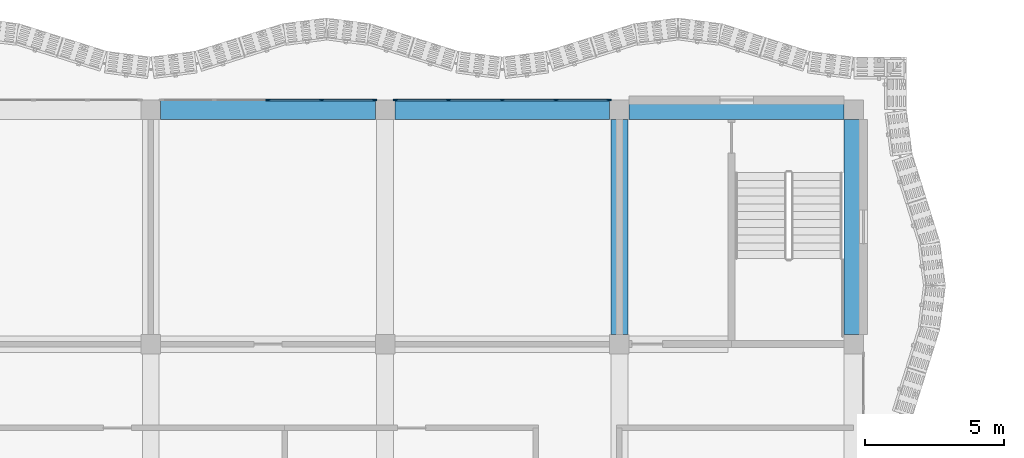
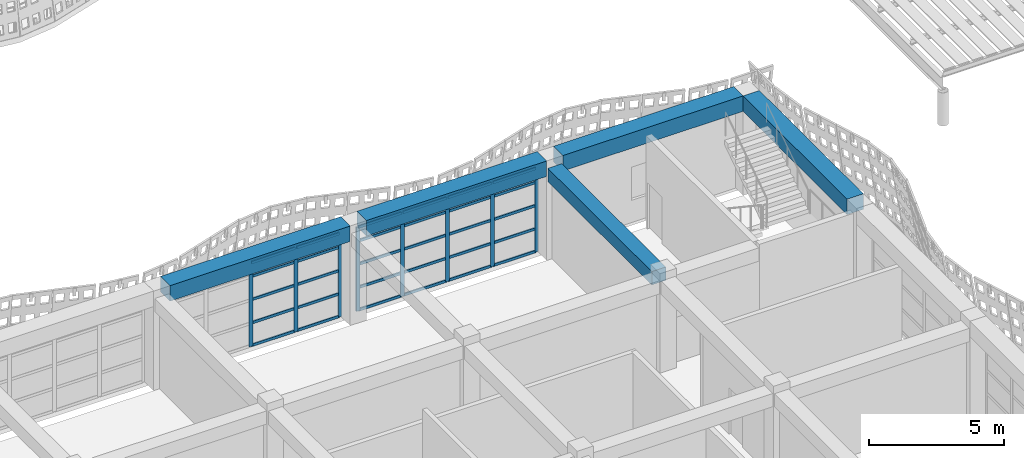
# One storey, part 24 of 162: 38 members, 5 beams, 2 elements without a shape of their own.
"""IFC4 building model written with IfcOpenShell, lengths in metres."""

from ifc_helpers import new_model, si_unit, direction, frame, origin, origin_2d, place, context, subcontext, project, spatial, rectangle, extrude, material, material_profile, profile_set, type_object, element, aggregate, save


model = new_model("IFC4")

# Units and contexts
model_context = context("Model", 3, precision=1e-05, world=origin(), true_north=direction((0.0, 1.0)))
body_context = subcontext(model_context, "Body", "Model", "MODEL_VIEW")
ifc_project = project(units=[si_unit("LENGTHUNIT", "METRE"), si_unit("AREAUNIT", "SQUARE_METRE"), si_unit("VOLUMEUNIT", "CUBIC_METRE"), si_unit("PLANEANGLEUNIT", "RADIAN"), si_unit("MASSUNIT", "GRAM", prefix="KILO")], contexts=[model_context])

# Site, building, storey
site_placement = place(None, origin())
site = spatial("IfcSite", under=ifc_project, at=site_placement, CompositionType="ELEMENT")
building_placement = place(site_placement, origin())
building = spatial("IfcBuilding", under=site, at=building_placement, Name="Rain Tree Exposition and Congress Centre", CompositionType="ELEMENT")
storey_placement = place(building_placement, frame((0.0, 0.0, 6.0)))
storey = spatial("IfcBuildingStorey", under=building, at=storey_placement, Name="L01", CompositionType="ELEMENT", Elevation=6.0)

# Beams
ifc_material_1 = material(Name="Precast concrete C50/60", Category="concrete")
ifc_material_profile_1 = material_profile(ifc_material_1, rectangle(XDim=0.60009765625, YDim=0.60009765625, at=origin_2d()), Name="RC 600x600")
ifc_profile_set_1 = profile_set([ifc_material_profile_1], Name="Precast concrete C50/60")
beam_type_1 = type_object("IfcBeamType", Name="Precast beam 600x600", PredefinedType="BEAM", material=ifc_profile_set_1)
beam_placement = place(storey_placement, frame((42.0, 42.35009765625, 3.85009765625), z_axis=(0.0, 1.0, 0.0), x_axis=(-1.0, 0.0, 0.0)))
element("IfcBeam", 1, at=beam_placement, inside=storey, type_object=beam_type_1, Name="wing/beam/L01/L02/060", PredefinedType="BEAM", context=body_context, shape_type="SweptSolid", body=[
    extrude(rectangle(XDim=0.60009765625, YDim=0.60009765625, at=origin_2d()), origin(), (0.0, 0.0, 1.0), 7.699951171875),
])
ifc_material_2 = material(Name="Precast concrete C50/60", Category="concrete")
ifc_material_profile_2 = material_profile(ifc_material_2, rectangle(XDim=0.699951171875, YDim=0.699951171875, at=origin_2d()), Name="RC 700x700")
ifc_profile_set_2 = profile_set([ifc_material_profile_2], Name="Precast concrete C50/60")
beam_type_2 = type_object("IfcBeamType", Name="Precast spandrel beam 700x700", PredefinedType="SPANDREL", material=ifc_profile_set_2)
for number, where, z_axis, x_axis, name in (
    (2, (25.550048828125, 50.39990234375, 4.14990234375), (1.0, 0.0, 0.0), (0.0, 1.0, 0.0), "wing/beam/L01/L02/067"),
    (3, (33.949951171875, 50.39990234375, 4.14990234375), (1.0, 0.0, 0.0), (0.0, 1.0, 0.0), "wing/beam/L01/L02/069"),
    (4, (42.35009765625, 50.39990234375, 4.14990234375), (1.0, 0.0, 0.0), (0.0, 1.0, 0.0), "wing/beam/L01/L02/071"),
    (5, (50.39990234375, 42.35009765625, 4.14990234375), (0.0, 1.0, 0.0), (-1.0, 0.0, 0.0), "wing/beam/L01/L02/072"),
):
    element("IfcBeam", number, at=place(storey_placement, frame(where, z_axis=z_axis, x_axis=x_axis)), inside=storey, type_object=beam_type_2, Name=name, PredefinedType="SPANDREL", context=body_context, shape_type="SweptSolid", body=[
        extrude(rectangle(XDim=0.699951171875, YDim=0.699951171875, at=origin_2d()), origin(), (0.0, 0.0, 1.0), 7.699951171875),
    ])

# Curtain wall, members
ifc_material_3 = material(Name="Aluminium curtain wall", Category="aluminium")
curtain_wall_type = type_object("IfcCurtainWallType", Name="Wing curtain wall 1925", PredefinedType="NOTDEFINED", material=ifc_material_3)
curtain_wall_1_placement = place(storey_placement, origin())
curtain_wall_1 = element("IfcCurtainWall", 6, at=curtain_wall_1_placement, inside=storey, type_object=curtain_wall_type, Name="Curtain wall CWW206", PredefinedType="NOTDEFINED")
ifc_material_4 = material(Name="Aluminium", Category="aluminium")
ifc_material_profile_3 = material_profile(ifc_material_4, rectangle(XDim=0.06005859375, YDim=0.159912109375, at=origin_2d()), Name="Aluminium 60x160")
ifc_profile_set_3 = profile_set([ifc_material_profile_3], Name="Aluminium")
member_type_1 = type_object("IfcMemberType", Name="Wing mullion 60x160", PredefinedType="MULLION", material=ifc_profile_set_3)
member_1_placement = place(storey_placement, frame((29.39990234375, 50.75, 0.0), z_axis=(0.0, 0.0, 1.0), x_axis=(0.0, 1.0, 0.0)))
member_1 = element("IfcMember", 7, at=member_1_placement, type_object=member_type_1, Name="CWW206 mullion 3", PredefinedType="MULLION", context=body_context, shape_type="SweptSolid", body=[
    extrude(rectangle(XDim=0.06005859375, YDim=0.159912109375, at=origin_2d()), origin(), (0.0, 0.0, 1.0), 3.800048828125),
])
member_2_placement = place(storey_placement, frame((31.324951171875, 50.75, 0.0), z_axis=(0.0, 0.0, 1.0), x_axis=(0.0, 1.0, 0.0)))
member_2 = element("IfcMember", 8, at=member_2_placement, type_object=member_type_1, Name="CWW206 mullion 4", PredefinedType="MULLION", context=body_context, shape_type="SweptSolid", body=[
    extrude(rectangle(XDim=0.06005859375, YDim=0.159912109375, at=origin_2d()), origin(), (0.0, 0.0, 1.0), 3.800048828125),
])
member_3_placement = place(storey_placement, frame((33.219970703125, 50.75, 0.0), z_axis=(0.0, 0.0, 1.0), x_axis=(0.0, 1.0, 0.0)))
member_3 = element("IfcMember", 9, at=member_3_placement, type_object=member_type_1, Name="CWW206 mullion 5", PredefinedType="MULLION", context=body_context, shape_type="SweptSolid", body=[
    extrude(rectangle(XDim=0.06005859375, YDim=0.159912109375, at=origin_2d()), origin(), (0.0, 0.0, 1.0), 3.800048828125),
])

curtain_wall_2_placement = place(storey_placement, origin())
curtain_wall_2 = element("IfcCurtainWall", 10, at=curtain_wall_2_placement, inside=storey, type_object=curtain_wall_type, Name="Curtain wall CWW207", PredefinedType="NOTDEFINED")
member_4_placement = place(storey_placement, frame((33.97998046875, 50.75, 0.0), z_axis=(0.0, 0.0, 1.0), x_axis=(0.0, 1.0, 0.0)))
member_4 = element("IfcMember", 11, at=member_4_placement, type_object=member_type_1, Name="CWW207 mullion 1", PredefinedType="MULLION", context=body_context, shape_type="SweptSolid", body=[
    extrude(rectangle(XDim=0.06005859375, YDim=0.159912109375, at=origin_2d()), origin(), (0.0, 0.0, 1.0), 3.800048828125),
])
member_5_placement = place(storey_placement, frame((35.875, 50.75, 0.0), z_axis=(0.0, 0.0, 1.0), x_axis=(0.0, 1.0, 0.0)))
member_5 = element("IfcMember", 12, at=member_5_placement, type_object=member_type_1, Name="CWW207 mullion 2", PredefinedType="MULLION", context=body_context, shape_type="SweptSolid", body=[
    extrude(rectangle(XDim=0.06005859375, YDim=0.159912109375, at=origin_2d()), origin(), (0.0, 0.0, 1.0), 3.800048828125),
])
member_6_placement = place(storey_placement, frame((37.800048828125, 50.75, 0.0), z_axis=(0.0, 0.0, 1.0), x_axis=(0.0, 1.0, 0.0)))
member_6 = element("IfcMember", 13, at=member_6_placement, type_object=member_type_1, Name="CWW207 mullion 3", PredefinedType="MULLION", context=body_context, shape_type="SweptSolid", body=[
    extrude(rectangle(XDim=0.06005859375, YDim=0.159912109375, at=origin_2d()), origin(), (0.0, 0.0, 1.0), 3.800048828125),
])
member_7_placement = place(storey_placement, frame((39.72509765625, 50.75, 0.0), z_axis=(0.0, 0.0, 1.0), x_axis=(0.0, 1.0, 0.0)))
member_7 = element("IfcMember", 14, at=member_7_placement, type_object=member_type_1, Name="CWW207 mullion 4", PredefinedType="MULLION", context=body_context, shape_type="SweptSolid", body=[
    extrude(rectangle(XDim=0.06005859375, YDim=0.159912109375, at=origin_2d()), origin(), (0.0, 0.0, 1.0), 3.800048828125),
])
member_8_placement = place(storey_placement, frame((41.6201171875, 50.75, 0.0), z_axis=(0.0, 0.0, 1.0), x_axis=(0.0, 1.0, 0.0)))
member_8 = element("IfcMember", 15, at=member_8_placement, type_object=member_type_1, Name="CWW207 mullion 5", PredefinedType="MULLION", context=body_context, shape_type="SweptSolid", body=[
    extrude(rectangle(XDim=0.06005859375, YDim=0.159912109375, at=origin_2d()), origin(), (0.0, 0.0, 1.0), 3.800048828125),
])

# Member
ifc_material_5 = material(Name="Aluminium", Category="aluminium")
ifc_material_profile_4 = material_profile(ifc_material_5, rectangle(XDim=0.06005859375, YDim=0.1201171875, at=origin_2d()), Name="Aluminium 60x120")
ifc_profile_set_4 = profile_set([ifc_material_profile_4], Name="Aluminium")
member_type_2 = type_object("IfcMemberType", Name="Wing transom 60x120", PredefinedType="USERDEFINED", material=ifc_profile_set_4)
member_9_placement = place(storey_placement, frame((29.429931640625, 50.75, 0.030029296875), z_axis=(1.0, 0.0, 0.0), x_axis=(0.0, 1.0, 0.0)))
member_9 = element("IfcMember", 16, at=member_9_placement, type_object=member_type_2, Name="CWW206 transom 3.1", ObjectType="TRANSOM", PredefinedType="USERDEFINED", context=body_context, shape_type="SweptSolid", body=[
    extrude(rectangle(XDim=0.06005859375, YDim=0.1201171875, at=origin_2d()), origin(), (0.0, 0.0, 1.0), 1.864990234375),
])

member_10_placement = place(storey_placement, frame((29.429931640625, 50.75, 1.050048828125), z_axis=(1.0, 0.0, 0.0), x_axis=(0.0, 1.0, 0.0)))
member_10 = element("IfcMember", 17, at=member_10_placement, type_object=member_type_2, Name="CWW206 transom 3.2", ObjectType="TRANSOM", PredefinedType="USERDEFINED", context=body_context, shape_type="SweptSolid", body=[
    extrude(rectangle(XDim=0.06005859375, YDim=0.1201171875, at=origin_2d()), origin(), (0.0, 0.0, 1.0), 1.864990234375),
])

member_11_placement = place(storey_placement, frame((29.429931640625, 50.75, 2.10009765625), z_axis=(1.0, 0.0, 0.0), x_axis=(0.0, 1.0, 0.0)))
member_11 = element("IfcMember", 18, at=member_11_placement, type_object=member_type_2, Name="CWW206 transom 3.3", ObjectType="TRANSOM", PredefinedType="USERDEFINED", context=body_context, shape_type="SweptSolid", body=[
    extrude(rectangle(XDim=0.06005859375, YDim=0.1201171875, at=origin_2d()), origin(), (0.0, 0.0, 1.0), 1.864990234375),
])

member_12_placement = place(storey_placement, frame((29.429931640625, 50.75, 3.14990234375), z_axis=(1.0, 0.0, 0.0), x_axis=(0.0, 1.0, 0.0)))
member_12 = element("IfcMember", 19, at=member_12_placement, type_object=member_type_2, Name="CWW206 transom 3.4", ObjectType="TRANSOM", PredefinedType="USERDEFINED", context=body_context, shape_type="SweptSolid", body=[
    extrude(rectangle(XDim=0.06005859375, YDim=0.1201171875, at=origin_2d()), origin(), (0.0, 0.0, 1.0), 1.864990234375),
])

member_13_placement = place(storey_placement, frame((29.429931640625, 50.75, 3.77001953125), z_axis=(1.0, 0.0, 0.0), x_axis=(0.0, 1.0, 0.0)))
member_13 = element("IfcMember", 20, at=member_13_placement, type_object=member_type_2, Name="CWW206 transom 3.5", ObjectType="TRANSOM", PredefinedType="USERDEFINED", context=body_context, shape_type="SweptSolid", body=[
    extrude(rectangle(XDim=0.06005859375, YDim=0.1201171875, at=origin_2d()), origin(), (0.0, 0.0, 1.0), 1.864990234375),
])

member_14_placement = place(storey_placement, frame((31.35498046875, 50.75, 0.030029296875), z_axis=(1.0, 0.0, 0.0), x_axis=(0.0, 1.0, 0.0)))
member_14 = element("IfcMember", 21, at=member_14_placement, type_object=member_type_2, Name="CWW206 transom 4.1", ObjectType="TRANSOM", PredefinedType="USERDEFINED", context=body_context, shape_type="SweptSolid", body=[
    extrude(rectangle(XDim=0.06005859375, YDim=0.1201171875, at=origin_2d()), origin(), (0.0, 0.0, 1.0), 1.8349609375),
])

member_15_placement = place(storey_placement, frame((31.35498046875, 50.75, 1.050048828125), z_axis=(1.0, 0.0, 0.0), x_axis=(0.0, 1.0, 0.0)))
member_15 = element("IfcMember", 22, at=member_15_placement, type_object=member_type_2, Name="CWW206 transom 4.2", ObjectType="TRANSOM", PredefinedType="USERDEFINED", context=body_context, shape_type="SweptSolid", body=[
    extrude(rectangle(XDim=0.06005859375, YDim=0.1201171875, at=origin_2d()), origin(), (0.0, 0.0, 1.0), 1.8349609375),
])

member_16_placement = place(storey_placement, frame((31.35498046875, 50.75, 2.10009765625), z_axis=(1.0, 0.0, 0.0), x_axis=(0.0, 1.0, 0.0)))
member_16 = element("IfcMember", 23, at=member_16_placement, type_object=member_type_2, Name="CWW206 transom 4.3", ObjectType="TRANSOM", PredefinedType="USERDEFINED", context=body_context, shape_type="SweptSolid", body=[
    extrude(rectangle(XDim=0.06005859375, YDim=0.1201171875, at=origin_2d()), origin(), (0.0, 0.0, 1.0), 1.8349609375),
])

member_17_placement = place(storey_placement, frame((31.35498046875, 50.75, 3.14990234375), z_axis=(1.0, 0.0, 0.0), x_axis=(0.0, 1.0, 0.0)))
member_17 = element("IfcMember", 24, at=member_17_placement, type_object=member_type_2, Name="CWW206 transom 4.4", ObjectType="TRANSOM", PredefinedType="USERDEFINED", context=body_context, shape_type="SweptSolid", body=[
    extrude(rectangle(XDim=0.06005859375, YDim=0.1201171875, at=origin_2d()), origin(), (0.0, 0.0, 1.0), 1.8349609375),
])

member_18_placement = place(storey_placement, frame((31.35498046875, 50.75, 3.77001953125), z_axis=(1.0, 0.0, 0.0), x_axis=(0.0, 1.0, 0.0)))
member_18 = element("IfcMember", 25, at=member_18_placement, type_object=member_type_2, Name="CWW206 transom 4.5", ObjectType="TRANSOM", PredefinedType="USERDEFINED", context=body_context, shape_type="SweptSolid", body=[
    extrude(rectangle(XDim=0.06005859375, YDim=0.1201171875, at=origin_2d()), origin(), (0.0, 0.0, 1.0), 1.8349609375),
])

aggregate(curtain_wall_1, [member_1, member_2, member_3, member_9, member_10, member_11, member_12, member_13, member_14, member_15, member_16, member_17, member_18])

member_19_placement = place(storey_placement, frame((34.010009765625, 50.75, 0.030029296875), z_axis=(1.0, 0.0, 0.0), x_axis=(0.0, 1.0, 0.0)))
member_19 = element("IfcMember", 26, at=member_19_placement, type_object=member_type_2, Name="CWW207 transom 1.1", ObjectType="TRANSOM", PredefinedType="USERDEFINED", context=body_context, shape_type="SweptSolid", body=[
    extrude(rectangle(XDim=0.06005859375, YDim=0.1201171875, at=origin_2d()), origin(), (0.0, 0.0, 1.0), 1.8349609375),
])

member_20_placement = place(storey_placement, frame((34.010009765625, 50.75, 1.050048828125), z_axis=(1.0, 0.0, 0.0), x_axis=(0.0, 1.0, 0.0)))
member_20 = element("IfcMember", 27, at=member_20_placement, type_object=member_type_2, Name="CWW207 transom 1.2", ObjectType="TRANSOM", PredefinedType="USERDEFINED", context=body_context, shape_type="SweptSolid", body=[
    extrude(rectangle(XDim=0.06005859375, YDim=0.1201171875, at=origin_2d()), origin(), (0.0, 0.0, 1.0), 1.8349609375),
])

member_21_placement = place(storey_placement, frame((34.010009765625, 50.75, 2.10009765625), z_axis=(1.0, 0.0, 0.0), x_axis=(0.0, 1.0, 0.0)))
member_21 = element("IfcMember", 28, at=member_21_placement, type_object=member_type_2, Name="CWW207 transom 1.3", ObjectType="TRANSOM", PredefinedType="USERDEFINED", context=body_context, shape_type="SweptSolid", body=[
    extrude(rectangle(XDim=0.06005859375, YDim=0.1201171875, at=origin_2d()), origin(), (0.0, 0.0, 1.0), 1.8349609375),
])

member_22_placement = place(storey_placement, frame((34.010009765625, 50.75, 3.14990234375), z_axis=(1.0, 0.0, 0.0), x_axis=(0.0, 1.0, 0.0)))
member_22 = element("IfcMember", 29, at=member_22_placement, type_object=member_type_2, Name="CWW207 transom 1.4", ObjectType="TRANSOM", PredefinedType="USERDEFINED", context=body_context, shape_type="SweptSolid", body=[
    extrude(rectangle(XDim=0.06005859375, YDim=0.1201171875, at=origin_2d()), origin(), (0.0, 0.0, 1.0), 1.8349609375),
])

member_23_placement = place(storey_placement, frame((34.010009765625, 50.75, 3.77001953125), z_axis=(1.0, 0.0, 0.0), x_axis=(0.0, 1.0, 0.0)))
member_23 = element("IfcMember", 30, at=member_23_placement, type_object=member_type_2, Name="CWW207 transom 1.5", ObjectType="TRANSOM", PredefinedType="USERDEFINED", context=body_context, shape_type="SweptSolid", body=[
    extrude(rectangle(XDim=0.06005859375, YDim=0.1201171875, at=origin_2d()), origin(), (0.0, 0.0, 1.0), 1.8349609375),
])

member_24_placement = place(storey_placement, frame((35.905029296875, 50.75, 0.030029296875), z_axis=(1.0, 0.0, 0.0), x_axis=(0.0, 1.0, 0.0)))
member_24 = element("IfcMember", 31, at=member_24_placement, type_object=member_type_2, Name="CWW207 transom 2.1", ObjectType="TRANSOM", PredefinedType="USERDEFINED", context=body_context, shape_type="SweptSolid", body=[
    extrude(rectangle(XDim=0.06005859375, YDim=0.1201171875, at=origin_2d()), origin(), (0.0, 0.0, 1.0), 1.864990234375),
])

member_25_placement = place(storey_placement, frame((35.905029296875, 50.75, 1.050048828125), z_axis=(1.0, 0.0, 0.0), x_axis=(0.0, 1.0, 0.0)))
member_25 = element("IfcMember", 32, at=member_25_placement, type_object=member_type_2, Name="CWW207 transom 2.2", ObjectType="TRANSOM", PredefinedType="USERDEFINED", context=body_context, shape_type="SweptSolid", body=[
    extrude(rectangle(XDim=0.06005859375, YDim=0.1201171875, at=origin_2d()), origin(), (0.0, 0.0, 1.0), 1.864990234375),
])

member_26_placement = place(storey_placement, frame((35.905029296875, 50.75, 2.10009765625), z_axis=(1.0, 0.0, 0.0), x_axis=(0.0, 1.0, 0.0)))
member_26 = element("IfcMember", 33, at=member_26_placement, type_object=member_type_2, Name="CWW207 transom 2.3", ObjectType="TRANSOM", PredefinedType="USERDEFINED", context=body_context, shape_type="SweptSolid", body=[
    extrude(rectangle(XDim=0.06005859375, YDim=0.1201171875, at=origin_2d()), origin(), (0.0, 0.0, 1.0), 1.864990234375),
])

member_27_placement = place(storey_placement, frame((35.905029296875, 50.75, 3.14990234375), z_axis=(1.0, 0.0, 0.0), x_axis=(0.0, 1.0, 0.0)))
member_27 = element("IfcMember", 34, at=member_27_placement, type_object=member_type_2, Name="CWW207 transom 2.4", ObjectType="TRANSOM", PredefinedType="USERDEFINED", context=body_context, shape_type="SweptSolid", body=[
    extrude(rectangle(XDim=0.06005859375, YDim=0.1201171875, at=origin_2d()), origin(), (0.0, 0.0, 1.0), 1.864990234375),
])

member_28_placement = place(storey_placement, frame((35.905029296875, 50.75, 3.77001953125), z_axis=(1.0, 0.0, 0.0), x_axis=(0.0, 1.0, 0.0)))
member_28 = element("IfcMember", 35, at=member_28_placement, type_object=member_type_2, Name="CWW207 transom 2.5", ObjectType="TRANSOM", PredefinedType="USERDEFINED", context=body_context, shape_type="SweptSolid", body=[
    extrude(rectangle(XDim=0.06005859375, YDim=0.1201171875, at=origin_2d()), origin(), (0.0, 0.0, 1.0), 1.864990234375),
])

member_29_placement = place(storey_placement, frame((37.830078125, 50.75, 0.030029296875), z_axis=(1.0, 0.0, 0.0), x_axis=(0.0, 1.0, 0.0)))
member_29 = element("IfcMember", 36, at=member_29_placement, type_object=member_type_2, Name="CWW207 transom 3.1", ObjectType="TRANSOM", PredefinedType="USERDEFINED", context=body_context, shape_type="SweptSolid", body=[
    extrude(rectangle(XDim=0.06005859375, YDim=0.1201171875, at=origin_2d()), origin(), (0.0, 0.0, 1.0), 1.864990234375),
])

member_30_placement = place(storey_placement, frame((37.830078125, 50.75, 1.050048828125), z_axis=(1.0, 0.0, 0.0), x_axis=(0.0, 1.0, 0.0)))
member_30 = element("IfcMember", 37, at=member_30_placement, type_object=member_type_2, Name="CWW207 transom 3.2", ObjectType="TRANSOM", PredefinedType="USERDEFINED", context=body_context, shape_type="SweptSolid", body=[
    extrude(rectangle(XDim=0.06005859375, YDim=0.1201171875, at=origin_2d()), origin(), (0.0, 0.0, 1.0), 1.864990234375),
])

member_31_placement = place(storey_placement, frame((37.830078125, 50.75, 2.10009765625), z_axis=(1.0, 0.0, 0.0), x_axis=(0.0, 1.0, 0.0)))
member_31 = element("IfcMember", 38, at=member_31_placement, type_object=member_type_2, Name="CWW207 transom 3.3", ObjectType="TRANSOM", PredefinedType="USERDEFINED", context=body_context, shape_type="SweptSolid", body=[
    extrude(rectangle(XDim=0.06005859375, YDim=0.1201171875, at=origin_2d()), origin(), (0.0, 0.0, 1.0), 1.864990234375),
])

member_32_placement = place(storey_placement, frame((37.830078125, 50.75, 3.14990234375), z_axis=(1.0, 0.0, 0.0), x_axis=(0.0, 1.0, 0.0)))
member_32 = element("IfcMember", 39, at=member_32_placement, type_object=member_type_2, Name="CWW207 transom 3.4", ObjectType="TRANSOM", PredefinedType="USERDEFINED", context=body_context, shape_type="SweptSolid", body=[
    extrude(rectangle(XDim=0.06005859375, YDim=0.1201171875, at=origin_2d()), origin(), (0.0, 0.0, 1.0), 1.864990234375),
])

member_33_placement = place(storey_placement, frame((37.830078125, 50.75, 3.77001953125), z_axis=(1.0, 0.0, 0.0), x_axis=(0.0, 1.0, 0.0)))
member_33 = element("IfcMember", 40, at=member_33_placement, type_object=member_type_2, Name="CWW207 transom 3.5", ObjectType="TRANSOM", PredefinedType="USERDEFINED", context=body_context, shape_type="SweptSolid", body=[
    extrude(rectangle(XDim=0.06005859375, YDim=0.1201171875, at=origin_2d()), origin(), (0.0, 0.0, 1.0), 1.864990234375),
])

member_34_placement = place(storey_placement, frame((39.7548828125, 50.75, 0.030029296875), z_axis=(1.0, 0.0, 0.0), x_axis=(0.0, 1.0, 0.0)))
member_34 = element("IfcMember", 41, at=member_34_placement, type_object=member_type_2, Name="CWW207 transom 4.1", ObjectType="TRANSOM", PredefinedType="USERDEFINED", context=body_context, shape_type="SweptSolid", body=[
    extrude(rectangle(XDim=0.06005859375, YDim=0.1201171875, at=origin_2d()), origin(), (0.0, 0.0, 1.0), 1.835205078125),
])

member_35_placement = place(storey_placement, frame((39.7548828125, 50.75, 1.050048828125), z_axis=(1.0, 0.0, 0.0), x_axis=(0.0, 1.0, 0.0)))
member_35 = element("IfcMember", 42, at=member_35_placement, type_object=member_type_2, Name="CWW207 transom 4.2", ObjectType="TRANSOM", PredefinedType="USERDEFINED", context=body_context, shape_type="SweptSolid", body=[
    extrude(rectangle(XDim=0.06005859375, YDim=0.1201171875, at=origin_2d()), origin(), (0.0, 0.0, 1.0), 1.835205078125),
])

member_36_placement = place(storey_placement, frame((39.7548828125, 50.75, 2.10009765625), z_axis=(1.0, 0.0, 0.0), x_axis=(0.0, 1.0, 0.0)))
member_36 = element("IfcMember", 43, at=member_36_placement, type_object=member_type_2, Name="CWW207 transom 4.3", ObjectType="TRANSOM", PredefinedType="USERDEFINED", context=body_context, shape_type="SweptSolid", body=[
    extrude(rectangle(XDim=0.06005859375, YDim=0.1201171875, at=origin_2d()), origin(), (0.0, 0.0, 1.0), 1.835205078125),
])

member_37_placement = place(storey_placement, frame((39.7548828125, 50.75, 3.14990234375), z_axis=(1.0, 0.0, 0.0), x_axis=(0.0, 1.0, 0.0)))
member_37 = element("IfcMember", 44, at=member_37_placement, type_object=member_type_2, Name="CWW207 transom 4.4", ObjectType="TRANSOM", PredefinedType="USERDEFINED", context=body_context, shape_type="SweptSolid", body=[
    extrude(rectangle(XDim=0.06005859375, YDim=0.1201171875, at=origin_2d()), origin(), (0.0, 0.0, 1.0), 1.835205078125),
])

member_38_placement = place(storey_placement, frame((39.7548828125, 50.75, 3.77001953125), z_axis=(1.0, 0.0, 0.0), x_axis=(0.0, 1.0, 0.0)))
member_38 = element("IfcMember", 45, at=member_38_placement, type_object=member_type_2, Name="CWW207 transom 4.5", ObjectType="TRANSOM", PredefinedType="USERDEFINED", context=body_context, shape_type="SweptSolid", body=[
    extrude(rectangle(XDim=0.06005859375, YDim=0.1201171875, at=origin_2d()), origin(), (0.0, 0.0, 1.0), 1.835205078125),
])

aggregate(curtain_wall_2, [member_4, member_5, member_6, member_7, member_8, member_19, member_20, member_21, member_22, member_23, member_24, member_25, member_26, member_27, member_28, member_29, member_30, member_31, member_32, member_33, member_34, member_35, member_36, member_37, member_38])

save(model, "model.ifc")
